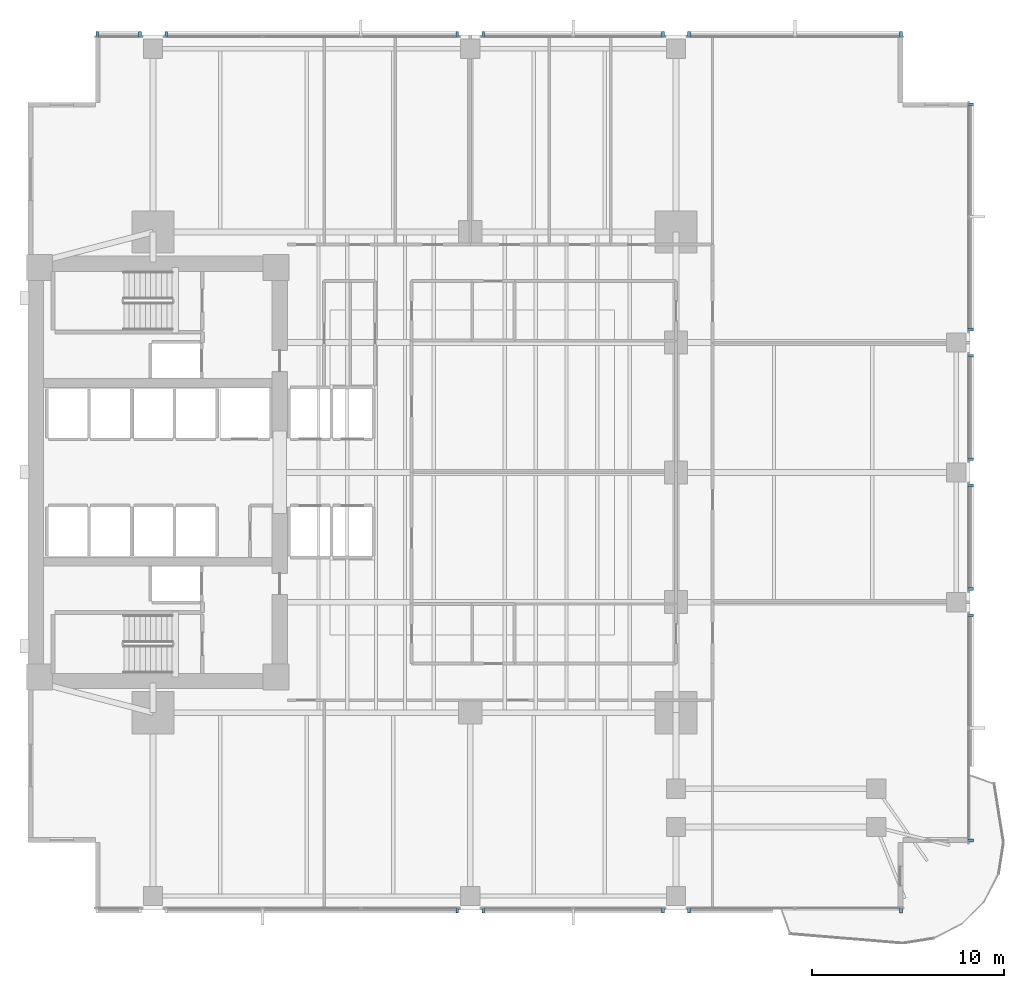
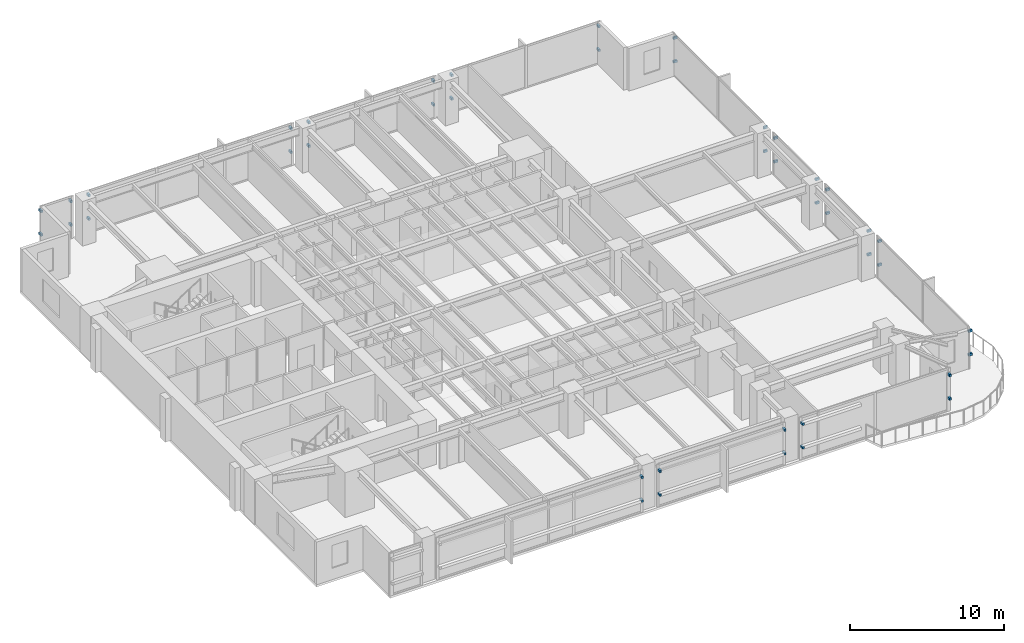
# One storey, part 11 of 15: 42 discrete accessories.
"""IFC4 building model written with IfcOpenShell, lengths in metres."""

from ifc_helpers import new_model, si_unit, direction, frame, origin, origin_2d, place, context, subcontext, project, spatial, rectangle, extrude, material, type_object, element, save


model = new_model("IFC4")

# Units and contexts
model_context = context("Model", 3, precision=1e-05, world=origin(), true_north=direction((0.0, 1.0)))
body_context = subcontext(model_context, "Body", "Model", "MODEL_VIEW")
ifc_project = project(units=[si_unit("LENGTHUNIT", "METRE"), si_unit("AREAUNIT", "SQUARE_METRE"), si_unit("VOLUMEUNIT", "CUBIC_METRE"), si_unit("PLANEANGLEUNIT", "RADIAN"), si_unit("MASSUNIT", "GRAM", prefix="KILO")], contexts=[model_context])

# Site, building, storey
site_placement = place(None, origin())
site = spatial("IfcSite", under=ifc_project, at=site_placement, CompositionType="ELEMENT")
building_placement = place(site_placement, origin())
building = spatial("IfcBuilding", under=site, at=building_placement, Name="Kinhvarn Gate Tower", CompositionType="ELEMENT")
storey_placement = place(building_placement, frame((0.0, 0.0, 54.0)))
storey = spatial("IfcBuildingStorey", under=building, at=storey_placement, Name="L13", CompositionType="ELEMENT", Elevation=54.0)

# Discrete accessories
ifc_material = material(Name="Anodised aluminium AW-6063", Category="aluminium")
discrete_accessory_type = type_object("IfcDiscreteAccessoryType", Name="ACC-BRK-01", PredefinedType="BRACKET", material=ifc_material)
for number, where, z_axis, x_axis, name in (
    (1, (26.820068359375, 2.4599609375, 0.9599609375), (0.0, 0.0, 1.0), (1.0, 0.0, 0.0), "Baguette Support Bracket BK-01 (L13)"),
    (2, (26.820068359375, 2.4599609375, 2.830078125), (0.0, 0.0, 1.0), (1.0, 0.0, 0.0), "Baguette Support Bracket BK-01 (L13)"),
    (3, (28.179931640625, 2.4599609375, 0.9599609375), (0.0, 0.0, 1.0), (1.0, 0.0, 0.0), "Baguette Support Bracket BK-01 (L13)"),
    (4, (28.179931640625, 2.4599609375, 2.830078125), (0.0, 0.0, 1.0), (1.0, 0.0, 0.0), "Baguette Support Bracket BK-01 (L13)"),
    (5, (37.52001953125, 2.4599609375, 0.9599609375), (0.0, 0.0, 1.0), (1.0, 0.0, 0.0), "Baguette Support Bracket BK-01 (L13)"),
    (6, (37.52001953125, 2.4599609375, 2.830078125), (0.0, 0.0, 1.0), (1.0, 0.0, 0.0), "Baguette Support Bracket BK-01 (L13)"),
    (7, (38.8798828125, 2.4599609375, 0.9599609375), (0.0, 0.0, 1.0), (1.0, 0.0, 0.0), "Baguette Support Bracket BK-01 (L13)"),
    (8, (38.8798828125, 2.4599609375, 2.830078125), (0.0, 0.0, 1.0), (1.0, 0.0, 0.0), "Baguette Support Bracket BK-01 (L13)"),
    (9, (49.89990234375, 2.4599609375, 0.9599609375), (0.0, 0.0, 1.0), (1.0, 0.0, 0.0), "Baguette Support Bracket BK-01 (L13)"),
    (10, (49.89990234375, 2.4599609375, 2.830078125), (0.0, 0.0, 1.0), (1.0, 0.0, 0.0), "Baguette Support Bracket BK-01 (L13)"),
    (11, (49.89990234375, 48.0400390625, 0.9599609375), (0.0, 0.0, 1.0), (-1.0, 0.0, 0.0), "Baguette Support Bracket BK-01 (L13)"),
    (12, (49.89990234375, 48.0400390625, 2.830078125), (0.0, 0.0, 1.0), (-1.0, 0.0, 0.0), "Baguette Support Bracket BK-01 (L13)"),
    (13, (38.8798828125, 48.0400390625, 0.9599609375), (0.0, 0.0, 1.0), (-1.0, 0.0, 0.0), "Baguette Support Bracket BK-01 (L13)"),
    (14, (38.8798828125, 48.0400390625, 2.830078125), (0.0, 0.0, 1.0), (-1.0, 0.0, 0.0), "Baguette Support Bracket BK-01 (L13)"),
    (15, (37.52001953125, 48.0400390625, 0.9599609375), (0.0, 0.0, 1.0), (-1.0, 0.0, 0.0), "Baguette Support Bracket BK-01 (L13)"),
    (16, (37.52001953125, 48.0400390625, 2.830078125), (0.0, 0.0, 1.0), (-1.0, 0.0, 0.0), "Baguette Support Bracket BK-01 (L13)"),
    (17, (28.179931640625, 48.0400390625, 0.9599609375), (0.0, 0.0, 1.0), (-1.0, 0.0, 0.0), "Baguette Support Bracket BK-01 (L13)"),
    (18, (28.179931640625, 48.0400390625, 2.830078125), (0.0, 0.0, 1.0), (-1.0, 0.0, 0.0), "Baguette Support Bracket BK-01 (L13)"),
    (19, (26.820068359375, 48.0400390625, 0.9599609375), (0.0, 0.0, 1.0), (-1.0, 0.0, 0.0), "Baguette Support Bracket BK-01 (L13)"),
    (20, (26.820068359375, 48.0400390625, 2.830078125), (0.0, 0.0, 1.0), (-1.0, 0.0, 0.0), "Baguette Support Bracket BK-01 (L13)"),
    (21, (11.679931640625, 48.0400390625, 0.9599609375), (0.0, 0.0, 1.0), (-1.0, 0.0, 0.0), "Baguette Support Bracket BK-01 (L13)"),
    (22, (11.679931640625, 48.0400390625, 2.830078125), (0.0, 0.0, 1.0), (-1.0, 0.0, 0.0), "Baguette Support Bracket BK-01 (L13)"),
    (23, (10.320068359375, 48.0400390625, 0.9599609375), (0.0, 0.0, 1.0), (-1.0, 0.0, 0.0), "Baguette Support Bracket BK-01 (L13)"),
    (24, (10.320068359375, 48.0400390625, 2.830078125), (0.0, 0.0, 1.0), (-1.0, 0.0, 0.0), "Baguette Support Bracket BK-01 (L13)"),
    (25, (8.10009765625, 48.0400390625, 0.9599609375), (0.0, 0.0, 1.0), (-1.0, 0.0, 0.0), "Baguette Support Bracket BK-01 (L13)"),
    (26, (8.10009765625, 48.0400390625, 2.830078125), (0.0, 0.0, 1.0), (-1.0, 0.0, 0.0), "Baguette Support Bracket BK-01 (L13)"),
    (27, (53.5400390625, 6.10009765625, 0.9599609375), (0.0, 0.0, 1.0), (0.0, 1.0, 0.0), "Baguette Support Bracket BK-01 (L13)"),
    (28, (53.5400390625, 6.10009765625, 2.830078125), (0.0, 0.0, 1.0), (0.0, 1.0, 0.0), "Baguette Support Bracket BK-01 (L13)"),
    (29, (53.5400390625, 17.820068359375, 0.9599609375), (0.0, 0.0, 1.0), (0.0, 1.0, 0.0), "Baguette Support Bracket BK-01 (L13)"),
    (30, (53.5400390625, 17.820068359375, 2.830078125), (0.0, 0.0, 1.0), (0.0, 1.0, 0.0), "Baguette Support Bracket BK-01 (L13)"),
    (31, (53.5400390625, 19.179931640625, 0.9599609375), (0.0, 0.0, 1.0), (0.0, 1.0, 0.0), "Baguette Support Bracket BK-01 (L13)"),
    (32, (53.5400390625, 19.179931640625, 2.830078125), (0.0, 0.0, 1.0), (0.0, 1.0, 0.0), "Baguette Support Bracket BK-01 (L13)"),
    (33, (53.5400390625, 24.570068359375, 0.9599609375), (0.0, 0.0, 1.0), (0.0, 1.0, 0.0), "Baguette Support Bracket BK-01 (L13)"),
    (34, (53.5400390625, 24.570068359375, 2.830078125), (0.0, 0.0, 1.0), (0.0, 1.0, 0.0), "Baguette Support Bracket BK-01 (L13)"),
    (35, (53.5400390625, 25.929931640625, 0.9599609375), (0.0, 0.0, 1.0), (0.0, 1.0, 0.0), "Baguette Support Bracket BK-01 (L13)"),
    (36, (53.5400390625, 25.929931640625, 2.830078125), (0.0, 0.0, 1.0), (0.0, 1.0, 0.0), "Baguette Support Bracket BK-01 (L13)"),
    (37, (53.5400390625, 31.320068359375, 0.9599609375), (0.0, 0.0, 1.0), (0.0, 1.0, 0.0), "Baguette Support Bracket BK-01 (L13)"),
    (38, (53.5400390625, 31.320068359375, 2.830078125), (0.0, 0.0, 1.0), (0.0, 1.0, 0.0), "Baguette Support Bracket BK-01 (L13)"),
    (39, (53.5400390625, 32.679931640625, 0.9599609375), (0.0, 0.0, 1.0), (0.0, 1.0, 0.0), "Baguette Support Bracket BK-01 (L13)"),
    (40, (53.5400390625, 32.679931640625, 2.830078125), (0.0, 0.0, 1.0), (0.0, 1.0, 0.0), "Baguette Support Bracket BK-01 (L13)"),
    (41, (53.5400390625, 44.39990234375, 0.9599609375), (0.0, 0.0, 1.0), (0.0, 1.0, 0.0), "Baguette Support Bracket BK-01 (L13)"),
    (42, (53.5400390625, 44.39990234375, 2.830078125), (0.0, 0.0, 1.0), (0.0, 1.0, 0.0), "Baguette Support Bracket BK-01 (L13)"),
):
    element("IfcDiscreteAccessory", number, at=place(storey_placement, frame(where, z_axis=z_axis, x_axis=x_axis)), inside=storey, type_object=discrete_accessory_type, Name=name, PredefinedType="BRACKET", context=body_context, shape_type="SweptSolid", body=[
        extrude(rectangle(XDim=0.139892578125, YDim=0.280029296875, at=origin_2d()), origin(), (0.0, 0.0, 1.0), 0.179931640625),
    ])

save(model, "model.ifc")
